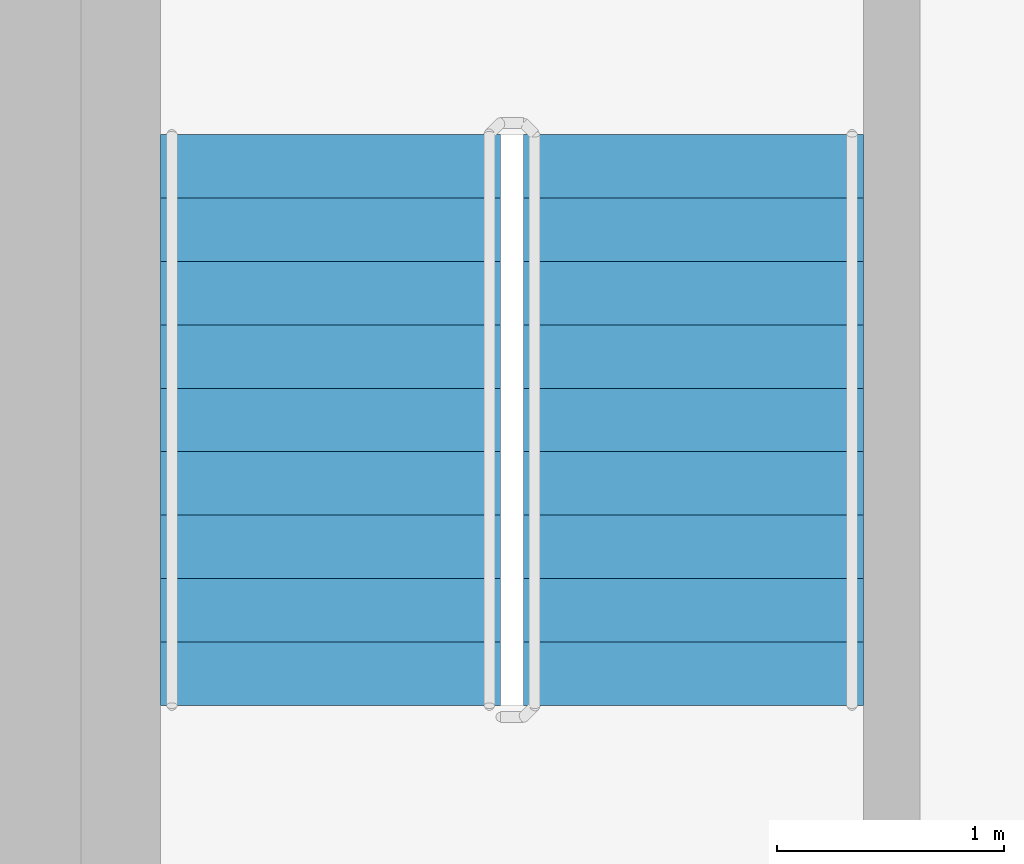
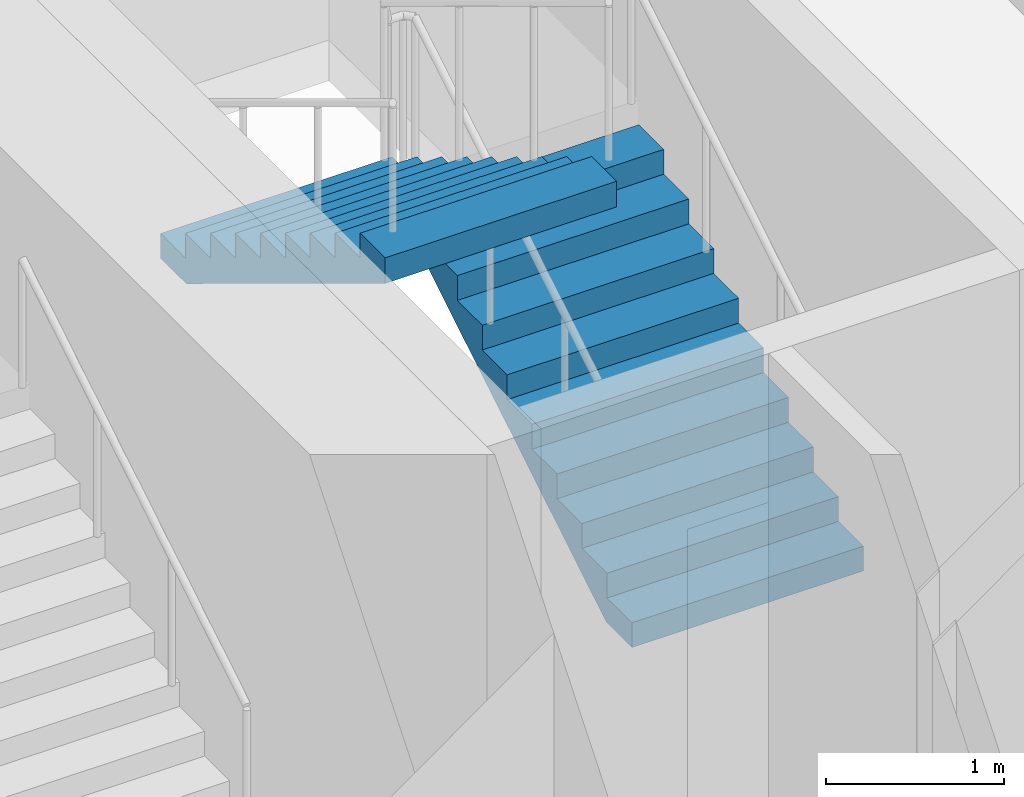
# One storey, part 13 of 21: 2 stair flights, 1 element without a shape of its own.
"""IFC4 building model written with IfcOpenShell, lengths in metres."""

from ifc_helpers import new_model, si_unit, direction, frame, origin, place, context, subcontext, project, spatial, triangles, source, transform, mapped, material, type_object, element, aggregate, save


model = new_model("IFC4")

# Units and contexts
model_context = context("Model", 3, precision=1e-05, world=origin(), true_north=direction((0.0, 1.0)))
body_context = subcontext(model_context, "Body", "Model", "MODEL_VIEW")
ifc_project = project(units=[si_unit("LENGTHUNIT", "METRE"), si_unit("AREAUNIT", "SQUARE_METRE"), si_unit("VOLUMEUNIT", "CUBIC_METRE"), si_unit("PLANEANGLEUNIT", "RADIAN"), si_unit("MASSUNIT", "GRAM", prefix="KILO")], contexts=[model_context])

# Site, building, storey
site_placement = place(None, origin())
site = spatial("IfcSite", under=ifc_project, at=site_placement, CompositionType="ELEMENT")
building_placement = place(site_placement, origin())
building = spatial("IfcBuilding", under=site, at=building_placement, Name="Kilnfold Tower and Market Hall", CompositionType="ELEMENT")
storey_placement = place(building_placement, frame((0.0, 0.0, 147.300048828125)))
storey = spatial("IfcBuildingStorey", under=building, at=storey_placement, Name="L33", CompositionType="ELEMENT", Elevation=147.300048828125)

# Stair, stair flights
ifc_material_1 = material(Name="Concrete C40/50", Category="concrete")
stair_type = type_object("IfcStairType", Name="CORE STAIR 1500", PredefinedType="HALF_TURN_STAIR", material=ifc_material_1)
stair_placement = place(storey_placement, origin())
stair = element("IfcStair", 1, at=stair_placement, inside=storey, type_object=stair_type, Name="L33 ST5", PredefinedType="HALF_TURN_STAIR")
ifc_material_2 = material(Name="Concrete C40/50", Category="concrete")
stair_flight_type = type_object("IfcStairFlightType", Name="CORE STAIR FLIGHT 1500", PredefinedType="STRAIGHT", material=ifc_material_2)
shared_shape = source(origin(), body_context, "Body", "Tessellation", [
    triangles([(0.0, 0.75, 0.0), (0.0, 0.65625, 0.0), (0.0, 0.5625, 0.0), (0.0, 0.46875, 0.0), (0.0, 0.375, 0.0), (0.0, 0.28125, 0.0), (0.0, 0.1875, 0.0), (0.0, 0.09375, 0.0), (0.0, 0.0, 0.0), (0.0, -0.09375, 0.0), (0.0, -0.1875, 0.0), (0.0, -0.28125, 0.0), (0.0, -0.375, 0.0), (0.0, -0.46875, 0.0), (0.0, -0.5625, 0.0), (0.0, -0.65625, 0.0), (0.0, -0.75, 0.0), (0.0, 0.75, 0.169921875), (0.0, 0.65625, 0.169921875), (0.0, 0.5625, 0.169921875), (0.0, 0.46875, 0.169921875), (0.0, 0.375, 0.169921875), (0.0, 0.28125, 0.169921875), (0.0, 0.1875, 0.169921875), (0.0, 0.09375, 0.169921875), (0.0, 0.0, 0.169921875), (0.0, -0.09375, 0.169921875), (0.0, -0.1875, 0.169921875), (0.0, -0.28125, 0.169921875), (0.0, -0.375, 0.169921875), (0.0, -0.46875, 0.169921875), (0.0, -0.5625, 0.169921875), (0.0, -0.65625, 0.169921875), (0.0, -0.75, 0.169921875), (0.280029296875, 0.75, 0.169921875), (0.280029296875, 0.65625, 0.169921875), (0.280029296875, 0.5625, 0.169921875), (0.280029296875, 0.46875, 0.169921875), (0.280029296875, 0.375, 0.169921875), (0.280029296875, 0.28125, 0.169921875), (0.280029296875, 0.1875, 0.169921875), (0.280029296875, 0.09375, 0.169921875), (0.280029296875, 0.0, 0.169921875), (0.280029296875, -0.09375, 0.169921875), (0.280029296875, -0.1875, 0.169921875), (0.280029296875, -0.28125, 0.169921875), (0.280029296875, -0.375, 0.169921875), (0.280029296875, -0.46875, 0.169921875), (0.280029296875, -0.5625, 0.169921875), (0.280029296875, -0.65625, 0.169921875), (0.280029296875, -0.75, 0.169921875), (0.280029296875, 0.75, 0.340087890625), (0.280029296875, 0.65625, 0.340087890625), (0.280029296875, 0.5625, 0.340087890625), (0.280029296875, 0.46875, 0.340087890625), (0.280029296875, 0.375, 0.340087890625), (0.280029296875, 0.28125, 0.340087890625), (0.280029296875, 0.1875, 0.340087890625), (0.280029296875, 0.09375, 0.340087890625), (0.280029296875, 0.0, 0.340087890625), (0.280029296875, -0.09375, 0.340087890625), (0.280029296875, -0.1875, 0.340087890625), (0.280029296875, -0.28125, 0.340087890625), (0.280029296875, -0.375, 0.340087890625), (0.280029296875, -0.46875, 0.340087890625), (0.280029296875, -0.5625, 0.340087890625), (0.280029296875, -0.65625, 0.340087890625), (0.280029296875, -0.75, 0.340087890625), (0.56005859375, 0.75, 0.340087890625), (0.56005859375, 0.65625, 0.340087890625), (0.56005859375, 0.5625, 0.340087890625), (0.56005859375, 0.46875, 0.340087890625), (0.56005859375, 0.375, 0.340087890625), (0.56005859375, 0.28125, 0.340087890625), (0.56005859375, 0.1875, 0.340087890625), (0.56005859375, 0.09375, 0.340087890625), (0.56005859375, 0.0, 0.340087890625), (0.56005859375, -0.09375, 0.340087890625), (0.56005859375, -0.1875, 0.340087890625), (0.56005859375, -0.28125, 0.340087890625), (0.56005859375, -0.375, 0.340087890625), (0.56005859375, -0.46875, 0.340087890625), (0.56005859375, -0.5625, 0.340087890625), (0.56005859375, -0.65625, 0.340087890625), (0.56005859375, -0.75, 0.340087890625), (0.56005859375, 0.75, 0.510009765625), (0.56005859375, 0.65625, 0.510009765625), (0.56005859375, 0.5625, 0.510009765625), (0.56005859375, 0.46875, 0.510009765625), (0.56005859375, 0.375, 0.510009765625), (0.56005859375, 0.28125, 0.510009765625), (0.56005859375, 0.1875, 0.510009765625), (0.56005859375, 0.09375, 0.510009765625), (0.56005859375, 0.0, 0.510009765625), (0.56005859375, -0.09375, 0.510009765625), (0.56005859375, -0.1875, 0.510009765625), (0.56005859375, -0.28125, 0.510009765625), (0.56005859375, -0.375, 0.510009765625), (0.56005859375, -0.46875, 0.510009765625), (0.56005859375, -0.5625, 0.510009765625), (0.56005859375, -0.65625, 0.510009765625), (0.56005859375, -0.75, 0.510009765625), (0.840087890625, 0.75, 0.510009765625), (0.840087890625, 0.65625, 0.510009765625), (0.840087890625, 0.5625, 0.510009765625), (0.840087890625, 0.46875, 0.510009765625), (0.840087890625, 0.375, 0.510009765625), (0.840087890625, 0.28125, 0.510009765625), (0.840087890625, 0.1875, 0.510009765625), (0.840087890625, 0.09375, 0.510009765625), (0.840087890625, 0.0, 0.510009765625), (0.840087890625, -0.09375, 0.510009765625), (0.840087890625, -0.1875, 0.510009765625), (0.840087890625, -0.28125, 0.510009765625), (0.840087890625, -0.375, 0.510009765625), (0.840087890625, -0.46875, 0.510009765625), (0.840087890625, -0.5625, 0.510009765625), (0.840087890625, -0.65625, 0.510009765625), (0.840087890625, -0.75, 0.510009765625), (0.840087890625, 0.75, 0.679931640625), (0.840087890625, 0.65625, 0.679931640625), (0.840087890625, 0.5625, 0.679931640625), (0.840087890625, 0.46875, 0.679931640625), (0.840087890625, 0.375, 0.679931640625), (0.840087890625, 0.28125, 0.679931640625), (0.840087890625, 0.1875, 0.679931640625), (0.840087890625, 0.09375, 0.679931640625), (0.840087890625, 0.0, 0.679931640625), (0.840087890625, -0.09375, 0.679931640625), (0.840087890625, -0.1875, 0.679931640625), (0.840087890625, -0.28125, 0.679931640625), (0.840087890625, -0.375, 0.679931640625), (0.840087890625, -0.46875, 0.679931640625), (0.840087890625, -0.5625, 0.679931640625), (0.840087890625, -0.65625, 0.679931640625), (0.840087890625, -0.75, 0.679931640625), (1.1201171875, 0.75, 0.679931640625), (1.1201171875, 0.65625, 0.679931640625), (1.1201171875, 0.5625, 0.679931640625), (1.1201171875, 0.46875, 0.679931640625), (1.1201171875, 0.375, 0.679931640625), (1.1201171875, 0.28125, 0.679931640625), (1.1201171875, 0.1875, 0.679931640625), (1.1201171875, 0.09375, 0.679931640625), (1.1201171875, 0.0, 0.679931640625), (1.1201171875, -0.09375, 0.679931640625), (1.1201171875, -0.1875, 0.679931640625), (1.1201171875, -0.28125, 0.679931640625), (1.1201171875, -0.375, 0.679931640625), (1.1201171875, -0.46875, 0.679931640625), (1.1201171875, -0.5625, 0.679931640625), (1.1201171875, -0.65625, 0.679931640625), (1.1201171875, -0.75, 0.679931640625), (1.1201171875, 0.75, 0.85009765625), (1.1201171875, 0.65625, 0.85009765625), (1.1201171875, 0.5625, 0.85009765625), (1.1201171875, 0.46875, 0.85009765625), (1.1201171875, 0.375, 0.85009765625), (1.1201171875, 0.28125, 0.85009765625), (1.1201171875, 0.1875, 0.85009765625), (1.1201171875, 0.09375, 0.85009765625), (1.1201171875, 0.0, 0.85009765625), (1.1201171875, -0.09375, 0.85009765625), (1.1201171875, -0.1875, 0.85009765625), (1.1201171875, -0.28125, 0.85009765625), (1.1201171875, -0.375, 0.85009765625), (1.1201171875, -0.46875, 0.85009765625), (1.1201171875, -0.5625, 0.85009765625), (1.1201171875, -0.65625, 0.85009765625), (1.1201171875, -0.75, 0.85009765625), (1.39990234375, 0.75, 0.85009765625), (1.39990234375, 0.65625, 0.85009765625), (1.39990234375, 0.5625, 0.85009765625), (1.39990234375, 0.46875, 0.85009765625), (1.39990234375, 0.375, 0.85009765625), (1.39990234375, 0.28125, 0.85009765625), (1.39990234375, 0.1875, 0.85009765625), (1.39990234375, 0.09375, 0.85009765625), (1.39990234375, 0.0, 0.85009765625), (1.39990234375, -0.09375, 0.85009765625), (1.39990234375, -0.1875, 0.85009765625), (1.39990234375, -0.28125, 0.85009765625), (1.39990234375, -0.375, 0.85009765625), (1.39990234375, -0.46875, 0.85009765625), (1.39990234375, -0.5625, 0.85009765625), (1.39990234375, -0.65625, 0.85009765625), (1.39990234375, -0.75, 0.85009765625), (1.39990234375, 0.75, 1.02001953125), (1.39990234375, 0.65625, 1.02001953125), (1.39990234375, 0.5625, 1.02001953125), (1.39990234375, 0.46875, 1.02001953125), (1.39990234375, 0.375, 1.02001953125), (1.39990234375, 0.28125, 1.02001953125), (1.39990234375, 0.1875, 1.02001953125), (1.39990234375, 0.09375, 1.02001953125), (1.39990234375, 0.0, 1.02001953125), (1.39990234375, -0.09375, 1.02001953125), (1.39990234375, -0.1875, 1.02001953125), (1.39990234375, -0.28125, 1.02001953125), (1.39990234375, -0.375, 1.02001953125), (1.39990234375, -0.46875, 1.02001953125), (1.39990234375, -0.5625, 1.02001953125), (1.39990234375, -0.65625, 1.02001953125), (1.39990234375, -0.75, 1.02001953125), (1.679931640625, 0.75, 1.02001953125), (1.679931640625, 0.65625, 1.02001953125), (1.679931640625, 0.5625, 1.02001953125), (1.679931640625, 0.46875, 1.02001953125), (1.679931640625, 0.375, 1.02001953125), (1.679931640625, 0.28125, 1.02001953125), (1.679931640625, 0.1875, 1.02001953125), (1.679931640625, 0.09375, 1.02001953125), (1.679931640625, 0.0, 1.02001953125), (1.679931640625, -0.09375, 1.02001953125), (1.679931640625, -0.1875, 1.02001953125), (1.679931640625, -0.28125, 1.02001953125), (1.679931640625, -0.375, 1.02001953125), (1.679931640625, -0.46875, 1.02001953125), (1.679931640625, -0.5625, 1.02001953125), (1.679931640625, -0.65625, 1.02001953125), (1.679931640625, -0.75, 1.02001953125), (1.679931640625, 0.75, 1.18994140625), (1.679931640625, 0.65625, 1.18994140625), (1.679931640625, 0.5625, 1.18994140625), (1.679931640625, 0.46875, 1.18994140625), (1.679931640625, 0.375, 1.18994140625), (1.679931640625, 0.28125, 1.18994140625), (1.679931640625, 0.1875, 1.18994140625), (1.679931640625, 0.09375, 1.18994140625), (1.679931640625, 0.0, 1.18994140625), (1.679931640625, -0.09375, 1.18994140625), (1.679931640625, -0.1875, 1.18994140625), (1.679931640625, -0.28125, 1.18994140625), (1.679931640625, -0.375, 1.18994140625), (1.679931640625, -0.46875, 1.18994140625), (1.679931640625, -0.5625, 1.18994140625), (1.679931640625, -0.65625, 1.18994140625), (1.679931640625, -0.75, 1.18994140625), (1.9599609375, 0.75, 1.18994140625), (1.9599609375, 0.65625, 1.18994140625), (1.9599609375, 0.5625, 1.18994140625), (1.9599609375, 0.46875, 1.18994140625), (1.9599609375, 0.375, 1.18994140625), (1.9599609375, 0.28125, 1.18994140625), (1.9599609375, 0.1875, 1.18994140625), (1.9599609375, 0.09375, 1.18994140625), (1.9599609375, 0.0, 1.18994140625), (1.9599609375, -0.09375, 1.18994140625), (1.9599609375, -0.1875, 1.18994140625), (1.9599609375, -0.28125, 1.18994140625), (1.9599609375, -0.375, 1.18994140625), (1.9599609375, -0.46875, 1.18994140625), (1.9599609375, -0.5625, 1.18994140625), (1.9599609375, -0.65625, 1.18994140625), (1.9599609375, -0.75, 1.18994140625), (1.9599609375, 0.75, 1.360107421875), (1.9599609375, 0.65625, 1.360107421875), (1.9599609375, 0.5625, 1.360107421875), (1.9599609375, 0.46875, 1.360107421875), (1.9599609375, 0.375, 1.360107421875), (1.9599609375, 0.28125, 1.360107421875), (1.9599609375, 0.1875, 1.360107421875), (1.9599609375, 0.09375, 1.360107421875), (1.9599609375, 0.0, 1.360107421875), (1.9599609375, -0.09375, 1.360107421875), (1.9599609375, -0.1875, 1.360107421875), (1.9599609375, -0.28125, 1.360107421875), (1.9599609375, -0.375, 1.360107421875), (1.9599609375, -0.46875, 1.360107421875), (1.9599609375, -0.5625, 1.360107421875), (1.9599609375, -0.65625, 1.360107421875), (1.9599609375, -0.75, 1.360107421875), (2.239990234375, 0.75, 1.360107421875), (2.239990234375, 0.65625, 1.360107421875), (2.239990234375, 0.5625, 1.360107421875), (2.239990234375, 0.46875, 1.360107421875), (2.239990234375, 0.375, 1.360107421875), (2.239990234375, 0.28125, 1.360107421875), (2.239990234375, 0.1875, 1.360107421875), (2.239990234375, 0.09375, 1.360107421875), (2.239990234375, 0.0, 1.360107421875), (2.239990234375, -0.09375, 1.360107421875), (2.239990234375, -0.1875, 1.360107421875), (2.239990234375, -0.28125, 1.360107421875), (2.239990234375, -0.375, 1.360107421875), (2.239990234375, -0.46875, 1.360107421875), (2.239990234375, -0.5625, 1.360107421875), (2.239990234375, -0.65625, 1.360107421875), (2.239990234375, -0.75, 1.360107421875), (2.239990234375, 0.75, 1.530029296875), (2.239990234375, 0.65625, 1.530029296875), (2.239990234375, 0.5625, 1.530029296875), (2.239990234375, 0.46875, 1.530029296875), (2.239990234375, 0.375, 1.530029296875), (2.239990234375, 0.28125, 1.530029296875), (2.239990234375, 0.1875, 1.530029296875), (2.239990234375, 0.09375, 1.530029296875), (2.239990234375, 0.0, 1.530029296875), (2.239990234375, -0.09375, 1.530029296875), (2.239990234375, -0.1875, 1.530029296875), (2.239990234375, -0.28125, 1.530029296875), (2.239990234375, -0.375, 1.530029296875), (2.239990234375, -0.46875, 1.530029296875), (2.239990234375, -0.5625, 1.530029296875), (2.239990234375, -0.65625, 1.530029296875), (2.239990234375, -0.75, 1.530029296875), (2.52001953125, 0.75, 1.530029296875), (2.52001953125, 0.65625, 1.530029296875), (2.52001953125, 0.5625, 1.530029296875), (2.52001953125, 0.46875, 1.530029296875), (2.52001953125, 0.375, 1.530029296875), (2.52001953125, 0.28125, 1.530029296875), (2.52001953125, 0.1875, 1.530029296875), (2.52001953125, 0.09375, 1.530029296875), (2.52001953125, 0.0, 1.530029296875), (2.52001953125, -0.09375, 1.530029296875), (2.52001953125, -0.1875, 1.530029296875), (2.52001953125, -0.28125, 1.530029296875), (2.52001953125, -0.375, 1.530029296875), (2.52001953125, -0.46875, 1.530029296875), (2.52001953125, -0.5625, 1.530029296875), (2.52001953125, -0.65625, 1.530029296875), (2.52001953125, -0.75, 1.530029296875), (2.52001953125, 0.75, 1.354736328125), (2.52001953125, 0.65625, 1.354736328125), (2.52001953125, 0.5625, 1.354736328125), (2.52001953125, 0.46875, 1.354736328125), (2.52001953125, 0.375, 1.354736328125), (2.52001953125, 0.28125, 1.354736328125), (2.52001953125, 0.1875, 1.354736328125), (2.52001953125, 0.09375, 1.354736328125), (2.52001953125, 0.0, 1.354736328125), (2.52001953125, -0.09375, 1.354736328125), (2.52001953125, -0.1875, 1.354736328125), (2.52001953125, -0.28125, 1.354736328125), (2.52001953125, -0.375, 1.354736328125), (2.52001953125, -0.46875, 1.354736328125), (2.52001953125, -0.5625, 1.354736328125), (2.52001953125, -0.65625, 1.354736328125), (2.52001953125, -0.75, 1.354736328125), (0.288818359375, 0.75, 0.0), (0.288818359375, 0.65625, 0.0), (0.288818359375, 0.5625, 0.0), (0.288818359375, 0.46875, 0.0), (0.288818359375, 0.375, 0.0), (0.288818359375, 0.28125, 0.0), (0.288818359375, 0.1875, 0.0), (0.288818359375, 0.09375, 0.0), (0.288818359375, 0.0, 0.0), (0.288818359375, -0.09375, 0.0), (0.288818359375, -0.1875, 0.0), (0.288818359375, -0.28125, 0.0), (0.288818359375, -0.375, 0.0), (0.288818359375, -0.46875, 0.0), (0.288818359375, -0.5625, 0.0), (0.288818359375, -0.65625, 0.0), (0.288818359375, -0.75, 0.0)], [[1, 324, 341], [17, 357, 340], [324, 290, 307], [340, 323, 306], [324, 273, 290], [340, 306, 289], [324, 256, 273], [340, 289, 272], [324, 239, 256], [340, 272, 255], [239, 205, 222], [255, 238, 221], [324, 205, 239], [340, 255, 221], [205, 171, 188], [221, 204, 187], [324, 171, 205], [340, 221, 187], [171, 137, 154], [187, 170, 153], [324, 137, 171], [340, 187, 153], [137, 103, 120], [153, 136, 119], [324, 103, 137], [340, 153, 119], [103, 69, 86], [119, 102, 85], [324, 69, 103], [340, 119, 85], [69, 35, 52], [85, 68, 51], [324, 35, 69], [340, 85, 51], [1, 35, 324], [17, 340, 51], [35, 1, 18], [51, 34, 17], [1, 19, 18], [1, 2, 19], [2, 20, 19], [2, 3, 20], [3, 21, 20], [3, 4, 21], [4, 22, 21], [4, 5, 22], [5, 23, 22], [5, 6, 23], [6, 24, 23], [6, 7, 24], [7, 25, 24], [7, 8, 25], [8, 26, 25], [8, 9, 26], [9, 27, 26], [9, 10, 27], [10, 28, 27], [10, 11, 28], [11, 29, 28], [11, 12, 29], [12, 30, 29], [12, 13, 30], [13, 31, 30], [13, 14, 31], [14, 32, 31], [14, 15, 32], [15, 33, 32], [15, 16, 33], [16, 34, 33], [16, 17, 34], [18, 36, 35], [18, 19, 36], [19, 37, 36], [19, 20, 37], [20, 38, 37], [20, 21, 38], [21, 39, 38], [21, 22, 39], [22, 40, 39], [22, 23, 40], [23, 41, 40], [23, 24, 41], [24, 42, 41], [24, 25, 42], [25, 43, 42], [25, 26, 43], [26, 44, 43], [26, 27, 44], [27, 45, 44], [27, 28, 45], [28, 46, 45], [28, 29, 46], [29, 47, 46], [29, 30, 47], [30, 48, 47], [30, 31, 48], [31, 49, 48], [31, 32, 49], [32, 50, 49], [32, 33, 50], [33, 51, 50], [33, 34, 51], [35, 53, 52], [35, 36, 53], [36, 54, 53], [36, 37, 54], [37, 55, 54], [37, 38, 55], [38, 56, 55], [38, 39, 56], [39, 57, 56], [39, 40, 57], [40, 58, 57], [40, 41, 58], [41, 59, 58], [41, 42, 59], [42, 60, 59], [42, 43, 60], [43, 61, 60], [43, 44, 61], [44, 62, 61], [44, 45, 62], [45, 63, 62], [45, 46, 63], [46, 64, 63], [46, 47, 64], [47, 65, 64], [47, 48, 65], [48, 66, 65], [48, 49, 66], [49, 67, 66], [49, 50, 67], [50, 68, 67], [50, 51, 68], [52, 70, 69], [52, 53, 70], [53, 71, 70], [53, 54, 71], [54, 72, 71], [54, 55, 72], [55, 73, 72], [55, 56, 73], [56, 74, 73], [56, 57, 74], [57, 75, 74], [57, 58, 75], [58, 76, 75], [58, 59, 76], [59, 77, 76], [59, 60, 77], [60, 78, 77], [60, 61, 78], [61, 79, 78], [61, 62, 79], [62, 80, 79], [62, 63, 80], [63, 81, 80], [63, 64, 81], [64, 82, 81], [64, 65, 82], [65, 83, 82], [65, 66, 83], [66, 84, 83], [66, 67, 84], [67, 85, 84], [67, 68, 85], [69, 87, 86], [69, 70, 87], [70, 88, 87], [70, 71, 88], [71, 89, 88], [71, 72, 89], [72, 90, 89], [72, 73, 90], [73, 91, 90], [73, 74, 91], [74, 92, 91], [74, 75, 92], [75, 93, 92], [75, 76, 93], [76, 94, 93], [76, 77, 94], [77, 95, 94], [77, 78, 95], [78, 96, 95], [78, 79, 96], [79, 97, 96], [79, 80, 97], [80, 98, 97], [80, 81, 98], [81, 99, 98], [81, 82, 99], [82, 100, 99], [82, 83, 100], [83, 101, 100], [83, 84, 101], [84, 102, 101], [84, 85, 102], [86, 104, 103], [86, 87, 104], [87, 105, 104], [87, 88, 105], [88, 106, 105], [88, 89, 106], [89, 107, 106], [89, 90, 107], [90, 108, 107], [90, 91, 108], [91, 109, 108], [91, 92, 109], [92, 110, 109], [92, 93, 110], [93, 111, 110], [93, 94, 111], [94, 112, 111], [94, 95, 112], [95, 113, 112], [95, 96, 113], [96, 114, 113], [96, 97, 114], [97, 115, 114], [97, 98, 115], [98, 116, 115], [98, 99, 116], [99, 117, 116], [99, 100, 117], [100, 118, 117], [100, 101, 118], [101, 119, 118], [101, 102, 119], [103, 121, 120], [103, 104, 121], [104, 122, 121], [104, 105, 122], [105, 123, 122], [105, 106, 123], [106, 124, 123], [106, 107, 124], [107, 125, 124], [107, 108, 125], [108, 126, 125], [108, 109, 126], [109, 127, 126], [109, 110, 127], [110, 128, 127], [110, 111, 128], [111, 129, 128], [111, 112, 129], [112, 130, 129], [112, 113, 130], [113, 131, 130], [113, 114, 131], [114, 132, 131], [114, 115, 132], [115, 133, 132], [115, 116, 133], [116, 134, 133], [116, 117, 134], [117, 135, 134], [117, 118, 135], [118, 136, 135], [118, 119, 136], [120, 138, 137], [120, 121, 138], [121, 139, 138], [121, 122, 139], [122, 140, 139], [122, 123, 140], [123, 141, 140], [123, 124, 141], [124, 142, 141], [124, 125, 142], [125, 143, 142], [125, 126, 143], [126, 144, 143], [126, 127, 144], [127, 145, 144], [127, 128, 145], [128, 146, 145], [128, 129, 146], [129, 147, 146], [129, 130, 147], [130, 148, 147], [130, 131, 148], [131, 149, 148], [131, 132, 149], [132, 150, 149], [132, 133, 150], [133, 151, 150], [133, 134, 151], [134, 152, 151], [134, 135, 152], [135, 153, 152], [135, 136, 153], [137, 155, 154], [137, 138, 155], [138, 156, 155], [138, 139, 156], [139, 157, 156], [139, 140, 157], [140, 158, 157], [140, 141, 158], [141, 159, 158], [141, 142, 159], [142, 160, 159], [142, 143, 160], [143, 161, 160], [143, 144, 161], [144, 162, 161], [144, 145, 162], [145, 163, 162], [145, 146, 163], [146, 164, 163], [146, 147, 164], [147, 165, 164], [147, 148, 165], [148, 166, 165], [148, 149, 166], [149, 167, 166], [149, 150, 167], [150, 168, 167], [150, 151, 168], [151, 169, 168], [151, 152, 169], [152, 170, 169], [152, 153, 170], [154, 172, 171], [154, 155, 172], [155, 173, 172], [155, 156, 173], [156, 174, 173], [156, 157, 174], [157, 175, 174], [157, 158, 175], [158, 176, 175], [158, 159, 176], [159, 177, 176], [159, 160, 177], [160, 178, 177], [160, 161, 178], [161, 179, 178], [161, 162, 179], [162, 180, 179], [162, 163, 180], [163, 181, 180], [163, 164, 181], [164, 182, 181], [164, 165, 182], [165, 183, 182], [165, 166, 183], [166, 184, 183], [166, 167, 184], [167, 185, 184], [167, 168, 185], [168, 186, 185], [168, 169, 186], [169, 187, 186], [169, 170, 187], [171, 189, 188], [171, 172, 189], [172, 190, 189], [172, 173, 190], [173, 191, 190], [173, 174, 191], [174, 192, 191], [174, 175, 192], [175, 193, 192], [175, 176, 193], [176, 194, 193], [176, 177, 194], [177, 195, 194], [177, 178, 195], [178, 196, 195], [178, 179, 196], [179, 197, 196], [179, 180, 197], [180, 198, 197], [180, 181, 198], [181, 199, 198], [181, 182, 199], [182, 200, 199], [182, 183, 200], [183, 201, 200], [183, 184, 201], [184, 202, 201], [184, 185, 202], [185, 203, 202], [185, 186, 203], [186, 204, 203], [186, 187, 204], [188, 206, 205], [188, 189, 206], [189, 207, 206], [189, 190, 207], [190, 208, 207], [190, 191, 208], [191, 209, 208], [191, 192, 209], [192, 210, 209], [192, 193, 210], [193, 211, 210], [193, 194, 211], [194, 212, 211], [194, 195, 212], [195, 213, 212], [195, 196, 213], [196, 214, 213], [196, 197, 214], [197, 215, 214], [197, 198, 215], [198, 216, 215], [198, 199, 216], [199, 217, 216], [199, 200, 217], [200, 218, 217], [200, 201, 218], [201, 219, 218], [201, 202, 219], [202, 220, 219], [202, 203, 220], [203, 221, 220], [203, 204, 221], [205, 223, 222], [205, 206, 223], [206, 224, 223], [206, 207, 224], [207, 225, 224], [207, 208, 225], [208, 226, 225], [208, 209, 226], [209, 227, 226], [209, 210, 227], [210, 228, 227], [210, 211, 228], [211, 229, 228], [211, 212, 229], [212, 230, 229], [212, 213, 230], [213, 231, 230], [213, 214, 231], [214, 232, 231], [214, 215, 232], [215, 233, 232], [215, 216, 233], [216, 234, 233], [216, 217, 234], [217, 235, 234], [217, 218, 235], [218, 236, 235], [218, 219, 236], [219, 237, 236], [219, 220, 237], [220, 238, 237], [220, 221, 238], [222, 240, 239], [222, 223, 240], [223, 241, 240], [223, 224, 241], [224, 242, 241], [224, 225, 242], [225, 243, 242], [225, 226, 243], [226, 244, 243], [226, 227, 244], [227, 245, 244], [227, 228, 245], [228, 246, 245], [228, 229, 246], [229, 247, 246], [229, 230, 247], [230, 248, 247], [230, 231, 248], [231, 249, 248], [231, 232, 249], [232, 250, 249], [232, 233, 250], [233, 251, 250], [233, 234, 251], [234, 252, 251], [234, 235, 252], [235, 253, 252], [235, 236, 253], [236, 254, 253], [236, 237, 254], [237, 255, 254], [237, 238, 255], [239, 257, 256], [239, 240, 257], [240, 258, 257], [240, 241, 258], [241, 259, 258], [241, 242, 259], [242, 260, 259], [242, 243, 260], [243, 261, 260], [243, 244, 261], [244, 262, 261], [244, 245, 262], [245, 263, 262], [245, 246, 263], [246, 264, 263], [246, 247, 264], [247, 265, 264], [247, 248, 265], [248, 266, 265], [248, 249, 266], [249, 267, 266], [249, 250, 267], [250, 268, 267], [250, 251, 268], [251, 269, 268], [251, 252, 269], [252, 270, 269], [252, 253, 270], [253, 271, 270], [253, 254, 271], [254, 272, 271], [254, 255, 272], [256, 274, 273], [256, 257, 274], [257, 275, 274], [257, 258, 275], [258, 276, 275], [258, 259, 276], [259, 277, 276], [259, 260, 277], [260, 278, 277], [260, 261, 278], [261, 279, 278], [261, 262, 279], [262, 280, 279], [262, 263, 280], [263, 281, 280], [263, 264, 281], [264, 282, 281], [264, 265, 282], [265, 283, 282], [265, 266, 283], [266, 284, 283], [266, 267, 284], [267, 285, 284], [267, 268, 285], [268, 286, 285], [268, 269, 286], [269, 287, 286], [269, 270, 287], [270, 288, 287], [270, 271, 288], [271, 289, 288], [271, 272, 289], [273, 291, 290], [273, 274, 291], [274, 292, 291], [274, 275, 292], [275, 293, 292], [275, 276, 293], [276, 294, 293], [276, 277, 294], [277, 295, 294], [277, 278, 295], [278, 296, 295], [278, 279, 296], [279, 297, 296], [279, 280, 297], [280, 298, 297], [280, 281, 298], [281, 299, 298], [281, 282, 299], [282, 300, 299], [282, 283, 300], [283, 301, 300], [283, 284, 301], [284, 302, 301], [284, 285, 302], [285, 303, 302], [285, 286, 303], [286, 304, 303], [286, 287, 304], [287, 305, 304], [287, 288, 305], [288, 306, 305], [288, 289, 306], [290, 308, 307], [290, 291, 308], [291, 309, 308], [291, 292, 309], [292, 310, 309], [292, 293, 310], [293, 311, 310], [293, 294, 311], [294, 312, 311], [294, 295, 312], [295, 313, 312], [295, 296, 313], [296, 314, 313], [296, 297, 314], [297, 315, 314], [297, 298, 315], [298, 316, 315], [298, 299, 316], [299, 317, 316], [299, 300, 317], [300, 318, 317], [300, 301, 318], [301, 319, 318], [301, 302, 319], [302, 320, 319], [302, 303, 320], [303, 321, 320], [303, 304, 321], [304, 322, 321], [304, 305, 322], [305, 323, 322], [305, 306, 323], [307, 325, 324], [307, 308, 325], [308, 326, 325], [308, 309, 326], [309, 327, 326], [309, 310, 327], [310, 328, 327], [310, 311, 328], [311, 329, 328], [311, 312, 329], [312, 330, 329], [312, 313, 330], [313, 331, 330], [313, 314, 331], [314, 332, 331], [314, 315, 332], [315, 333, 332], [315, 316, 333], [316, 334, 333], [316, 317, 334], [317, 335, 334], [317, 318, 335], [318, 336, 335], [318, 319, 336], [319, 337, 336], [319, 320, 337], [320, 338, 337], [320, 321, 338], [321, 339, 338], [321, 322, 339], [322, 340, 339], [322, 323, 340], [324, 342, 341], [324, 325, 342], [325, 343, 342], [325, 326, 343], [326, 344, 343], [326, 327, 344], [327, 345, 344], [327, 328, 345], [328, 346, 345], [328, 329, 346], [329, 347, 346], [329, 330, 347], [330, 348, 347], [330, 331, 348], [331, 349, 348], [331, 332, 349], [332, 350, 349], [332, 333, 350], [333, 351, 350], [333, 334, 351], [334, 352, 351], [334, 335, 352], [335, 353, 352], [335, 336, 353], [336, 354, 353], [336, 337, 354], [337, 355, 354], [337, 338, 355], [338, 356, 355], [338, 339, 356], [339, 357, 356], [339, 340, 357], [341, 2, 1], [341, 342, 2], [342, 3, 2], [342, 343, 3], [343, 4, 3], [343, 344, 4], [344, 5, 4], [344, 345, 5], [345, 6, 5], [345, 346, 6], [346, 7, 6], [346, 347, 7], [347, 8, 7], [347, 348, 8], [348, 9, 8], [348, 349, 9], [349, 10, 9], [349, 350, 10], [350, 11, 10], [350, 351, 11], [351, 12, 11], [351, 352, 12], [352, 13, 12], [352, 353, 13], [353, 14, 13], [353, 354, 14], [354, 15, 14], [354, 355, 15], [355, 16, 15], [355, 356, 16], [356, 17, 16], [356, 357, 17]], closed=True),
])
stair_flight_1_placement = place(storey_placement, frame((20.699951171875, 11.5, 0.0), z_axis=(0.0, 0.0, 1.0), x_axis=(0.0, 1.0, 0.0)))
stair_flight_1 = element("IfcStairFlight", 2, at=stair_flight_1_placement, type_object=stair_flight_type, Name="ST5 flight 1", NumberOfRisers=10, NumberOfTreads=9, PredefinedType="STRAIGHT", RiserHeight=0.17, TreadLength=0.28, context=body_context, shape_type="MappedRepresentation", body=[
    mapped(shared_shape, transform((0.0, 0.0, 0.0))),
])
stair_flight_2_placement = place(storey_placement, frame((19.10009765625, 14.02001953125, 1.699951171875), z_axis=(0.0, 0.0, 1.0), x_axis=(0.0, -1.0, 0.0)))
stair_flight_2 = element("IfcStairFlight", 3, at=stair_flight_2_placement, type_object=stair_flight_type, Name="ST5 flight 2", NumberOfRisers=10, NumberOfTreads=9, PredefinedType="STRAIGHT", RiserHeight=0.17, TreadLength=0.28, context=body_context, shape_type="MappedRepresentation", body=[
    mapped(shared_shape, transform((0.0, 0.0, 0.0))),
])
aggregate(stair, [stair_flight_1, stair_flight_2])

save(model, "model.ifc")
